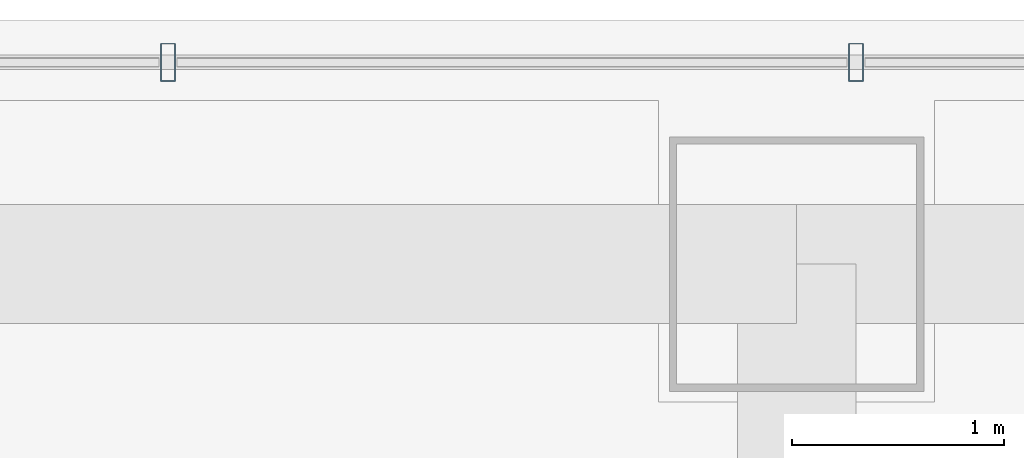
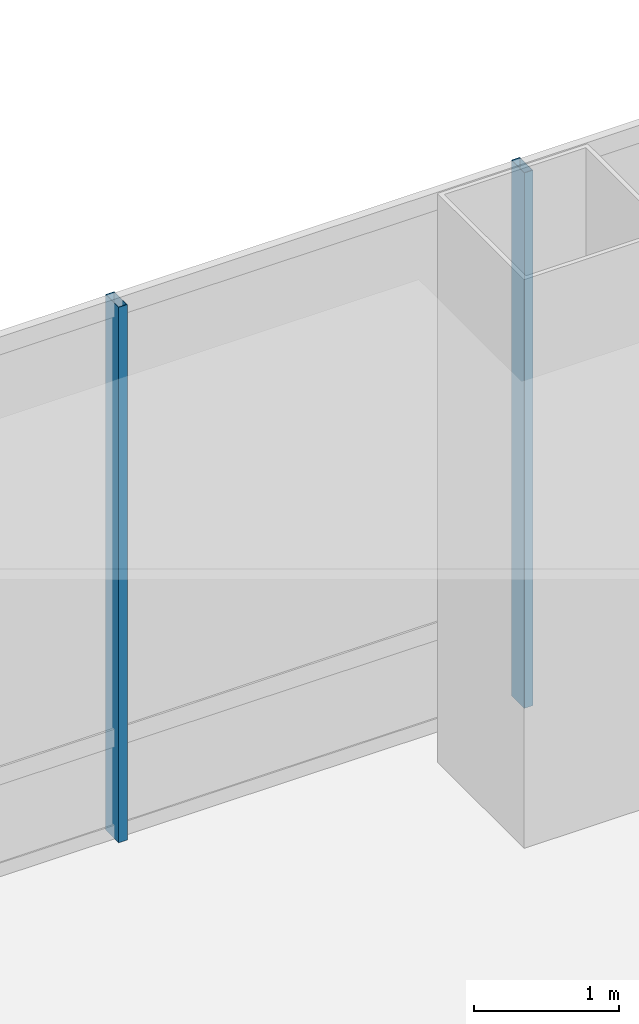
# One storey, part 29 of 45: 2 members, 1 element without a shape of its own.
"""IFC4 building model written with IfcOpenShell, lengths in metres."""

from ifc_helpers import new_model, si_unit, direction, frame, origin, origin_2d, place, context, subcontext, project, spatial, hollow_rectangle, extrude, material, material_profile, profile_set, type_object, element, aggregate, save


model = new_model("IFC4")

# Units and contexts
model_context = context("Model", 3, precision=1e-05, world=origin(), true_north=direction((0.0, 1.0)))
body_context = subcontext(model_context, "Body", "Model", "MODEL_VIEW")
ifc_project = project(units=[si_unit("LENGTHUNIT", "METRE"), si_unit("AREAUNIT", "SQUARE_METRE"), si_unit("VOLUMEUNIT", "CUBIC_METRE"), si_unit("PLANEANGLEUNIT", "RADIAN"), si_unit("MASSUNIT", "GRAM", prefix="KILO")], contexts=[model_context])

# Site, building, storey
site_placement = place(None, origin())
site = spatial("IfcSite", under=ifc_project, at=site_placement, CompositionType="ELEMENT")
building_placement = place(site_placement, origin())
building = spatial("IfcBuilding", under=site, at=building_placement, Name="Punatoya Terracotta Tower", CompositionType="ELEMENT")
storey_placement = place(building_placement, frame((0.0, 0.0, 339.0)))
storey = spatial("IfcBuildingStorey", under=building, at=storey_placement, Name="L80", CompositionType="ELEMENT", Elevation=339.0)

# Curtain wall, members
ifc_material_1 = material(Name="Aluminium 6063-T6 + Double Low-E Glass", Category="aluminium")
curtain_wall_type = type_object("IfcCurtainWallType", Name="CW-OBS", PredefinedType="NOTDEFINED", material=ifc_material_1)
curtain_wall_placement = place(storey_placement, origin())
curtain_wall = element("IfcCurtainWall", 1, at=curtain_wall_placement, inside=storey, type_object=curtain_wall_type, Name="L80 Curtain Wall CW-L80-N09-1", PredefinedType="NOTDEFINED")
ifc_material_2 = material(Name="Aluminium 6063-T6", Category="aluminium")
ifc_material_profile = material_profile(ifc_material_2, hollow_rectangle(XDim=0.070068359375, YDim=0.179931640625, WallThickness=0.00390625, at=origin_2d()))
ifc_profile_set = profile_set([ifc_material_profile], Name="Aluminium 6063-T6")
member_type = type_object("IfcMemberType", Name="CW-MUL-M3", PredefinedType="MULLION", material=ifc_profile_set)
member_1_placement = place(storey_placement, frame((4.0791015625, 18.449951171875, 0.0), z_axis=(0.0, 0.0, 1.0), x_axis=(1.0, 0.0, 0.0)))
member_1 = element("IfcMember", 2, at=member_1_placement, type_object=member_type, Name="CW-L80-N09-1 Mullion 04", PredefinedType="MULLION", context=body_context, shape_type="SweptSolid", body=[
    extrude(hollow_rectangle(XDim=0.070068359375, YDim=0.179931640625, WallThickness=0.00390625, at=origin_2d()), origin(), (0.0, 0.0, 1.0), 4.52001953125),
])
member_2_placement = place(storey_placement, frame((0.839599609375, 18.449951171875, 0.0), z_axis=(0.0, 0.0, 1.0), x_axis=(1.0, 0.0, 0.0)))
member_2 = element("IfcMember", 3, at=member_2_placement, type_object=member_type, Name="CW-L80-N09-1 Mullion 05", PredefinedType="MULLION", context=body_context, shape_type="SweptSolid", body=[
    extrude(hollow_rectangle(XDim=0.070068359375, YDim=0.179931640625, WallThickness=0.00390625, at=origin_2d()), origin(), (0.0, 0.0, 1.0), 4.52001953125),
])
aggregate(curtain_wall, [member_1, member_2])

save(model, "model.ifc")
